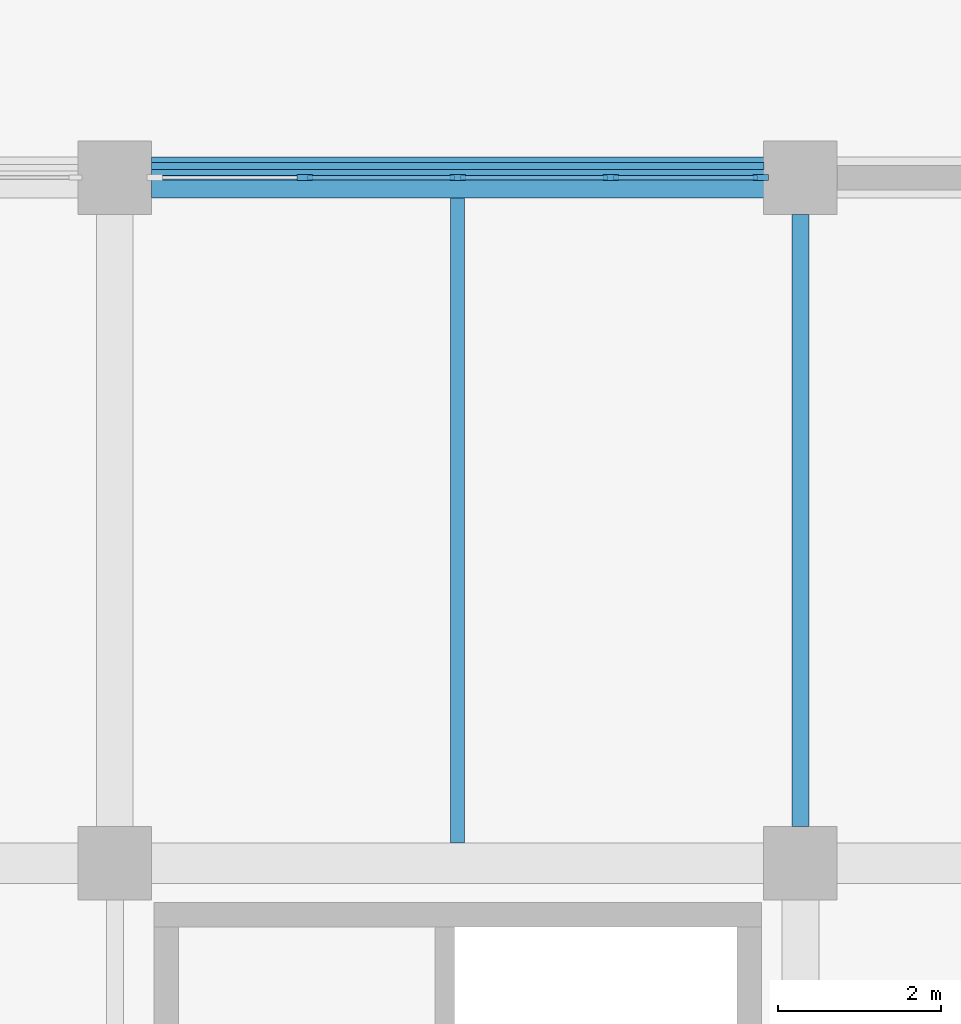
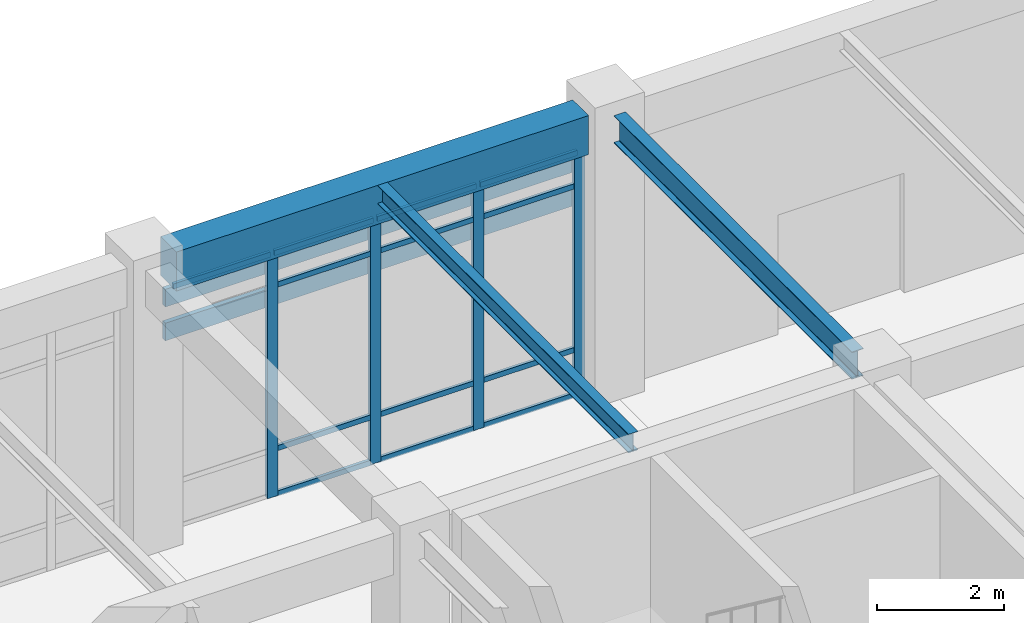
# One storey, part 24 of 91: 19 members, 3 beams, 1 element without a shape of its own.
"""IFC4 building model written with IfcOpenShell, lengths in metres."""

from ifc_helpers import new_model, si_unit, direction, frame, origin, origin_2d, place, context, subcontext, project, spatial, rectangle, i_section, extrude, material, layer, layer_set, material_profile, profile_set, type_object, element, aggregate, save


model = new_model("IFC4")

# Units and contexts
model_context = context("Model", 3, precision=1e-05, world=origin(), true_north=direction((0.0, 1.0)))
body_context = subcontext(model_context, "Body", "Model", "MODEL_VIEW")
ifc_project = project(units=[si_unit("LENGTHUNIT", "METRE"), si_unit("AREAUNIT", "SQUARE_METRE"), si_unit("VOLUMEUNIT", "CUBIC_METRE"), si_unit("PLANEANGLEUNIT", "RADIAN"), si_unit("MASSUNIT", "GRAM", prefix="KILO")], contexts=[model_context])

# Site, building, storey
site_placement = place(None, origin())
site = spatial("IfcSite", under=ifc_project, at=site_placement, CompositionType="ELEMENT")
building_placement = place(site_placement, origin())
building = spatial("IfcBuilding", under=site, at=building_placement, Name="Porcellanite Civic Hall", CompositionType="ELEMENT")
storey_placement = place(building_placement, origin())
storey = spatial("IfcBuildingStorey", under=building, at=storey_placement, Name="L00", CompositionType="ELEMENT", Elevation=0.0)

# Beam
ifc_material_1 = material(Name="Concrete N50 (50 MPa)", Category="concrete")
ifc_material_profile_1 = material_profile(ifc_material_1, rectangle(XDim=0.5, YDim=0.75, at=origin_2d()), Name="RC-500x750")
ifc_profile_set_1 = profile_set([ifc_material_profile_1], Name="Concrete N50 (50 MPa)")
beam_type_1 = type_object("IfcBeamType", Name="BM-RC750", PredefinedType="SPANDREL", material=ifc_profile_set_1)
beam_1_placement = place(storey_placement, frame((50.849609375, 117.60009765625, 5.125), z_axis=(1.0, 0.0, 0.0), x_axis=(0.0, 1.0, 0.0)))
element("IfcBeam", 1, at=beam_1_placement, inside=storey, type_object=beam_type_1, Name="Beam X L00 7-15", PredefinedType="SPANDREL", context=body_context, shape_type="SweptSolid", body=[
    extrude(rectangle(XDim=0.5, YDim=0.75, at=origin_2d()), origin(), (0.0, 0.0, 1.0), 7.5009765625),
])

# Curtain wall, members
ifc_material_2 = material(Name="Anodised aluminium and solar laminated glass", Category="aluminium")
ifc_layer = layer(ifc_material_2, 0.179931640625)
ifc_layer_set = layer_set([ifc_layer], Name="Anodised aluminium and solar laminated glass")
curtain_wall_type = type_object("IfcCurtainWallType", Name="CW-SYS04", PredefinedType="NOTDEFINED", material=ifc_layer_set)
curtain_wall_placement = place(storey_placement, origin())
curtain_wall = element("IfcCurtainWall", 2, at=curtain_wall_placement, inside=storey, type_object=curtain_wall_type, Name="Curtain wall CW-025", PredefinedType="NOTDEFINED")
ifc_material_3 = material(Name="Anodised aluminium 6063-T6", Category="aluminium")
ifc_material_profile_2 = material_profile(ifc_material_3, rectangle(XDim=0.074951171875, YDim=0.18994140625, at=origin_2d()), Name="AL-75x190")
ifc_profile_set_2 = profile_set([ifc_material_profile_2], Name="Anodised aluminium 6063-T6")
member_type_1 = type_object("IfcMemberType", Name="CWM-04", PredefinedType="MULLION", material=ifc_profile_set_2)
member_1_placement = place(storey_placement, frame((52.7255859375, 117.60009765625, 0.0), z_axis=(0.0, 0.0, 1.0), x_axis=(0.0, 1.0, 0.0)))
member_1 = element("IfcMember", 3, at=member_1_placement, type_object=member_type_1, Name="CW-025 mullion 2", PredefinedType="MULLION", context=body_context, shape_type="SweptSolid", body=[
    extrude(rectangle(XDim=0.074951171875, YDim=0.18994140625, at=origin_2d()), origin(), (0.0, 0.0, 1.0), 4.699951171875),
])
member_2_placement = place(storey_placement, frame((54.60009765625, 117.60009765625, 0.0), z_axis=(0.0, 0.0, 1.0), x_axis=(0.0, 1.0, 0.0)))
member_2 = element("IfcMember", 4, at=member_2_placement, type_object=member_type_1, Name="CW-025 mullion 3", PredefinedType="MULLION", context=body_context, shape_type="SweptSolid", body=[
    extrude(rectangle(XDim=0.074951171875, YDim=0.18994140625, at=origin_2d()), origin(), (0.0, 0.0, 1.0), 4.699951171875),
])
member_3_placement = place(storey_placement, frame((56.474609375, 117.60009765625, 0.0), z_axis=(0.0, 0.0, 1.0), x_axis=(0.0, 1.0, 0.0)))
member_3 = element("IfcMember", 5, at=member_3_placement, type_object=member_type_1, Name="CW-025 mullion 4", PredefinedType="MULLION", context=body_context, shape_type="SweptSolid", body=[
    extrude(rectangle(XDim=0.074951171875, YDim=0.18994140625, at=origin_2d()), origin(), (0.0, 0.0, 1.0), 4.699951171875),
])
member_4_placement = place(storey_placement, frame((58.3115234375, 117.60009765625, 0.0), z_axis=(0.0, 0.0, 1.0), x_axis=(0.0, 1.0, 0.0)))
member_4 = element("IfcMember", 6, at=member_4_placement, type_object=member_type_1, Name="CW-025 mullion 5", PredefinedType="MULLION", context=body_context, shape_type="SweptSolid", body=[
    extrude(rectangle(XDim=0.074951171875, YDim=0.18994140625, at=origin_2d()), origin(), (0.0, 0.0, 1.0), 4.699951171875),
])
ifc_material_4 = material(Name="Anodised aluminium 6063-T6", Category="aluminium")
ifc_material_profile_3 = material_profile(ifc_material_4, rectangle(XDim=0.054931640625, YDim=0.10009765625, at=origin_2d()), Name="AL-55x100")
ifc_profile_set_3 = profile_set([ifc_material_profile_3], Name="Anodised aluminium 6063-T6")
member_type_2 = type_object("IfcMemberType", Name="CWT-05", PredefinedType="USERDEFINED", material=ifc_profile_set_3)
member_5_placement = place(storey_placement, frame((50.926025390625, 117.60009765625, 4.672607421875), z_axis=(1.0, 0.0, 0.0), x_axis=(0.0, 1.0, 0.0)))
member_5 = element("IfcMember", 7, at=member_5_placement, type_object=member_type_2, Name="CW-025 transom 1.4", ObjectType="TRANSOM", PredefinedType="USERDEFINED", context=body_context, shape_type="SweptSolid", body=[
    extrude(rectangle(XDim=0.054931640625, YDim=0.10009765625, at=origin_2d()), origin(), (0.0, 0.0, 1.0), 1.761962890625),
])
member_6_placement = place(storey_placement, frame((52.762939453125, 117.60009765625, 0.027587890625), z_axis=(1.0, 0.0, 0.0), x_axis=(0.0, 1.0, 0.0)))
member_6 = element("IfcMember", 8, at=member_6_placement, type_object=member_type_2, Name="CW-025 transom 2.1", ObjectType="TRANSOM", PredefinedType="USERDEFINED", context=body_context, shape_type="SweptSolid", body=[
    extrude(rectangle(XDim=0.054931640625, YDim=0.10009765625, at=origin_2d()), origin(), (0.0, 0.0, 1.0), 1.799560546875),
])
member_7_placement = place(storey_placement, frame((52.762939453125, 117.60009765625, 0.89990234375), z_axis=(1.0, 0.0, 0.0), x_axis=(0.0, 1.0, 0.0)))
member_7 = element("IfcMember", 9, at=member_7_placement, type_object=member_type_2, Name="CW-025 transom 2.2", ObjectType="TRANSOM", PredefinedType="USERDEFINED", context=body_context, shape_type="SweptSolid", body=[
    extrude(rectangle(XDim=0.054931640625, YDim=0.10009765625, at=origin_2d()), origin(), (0.0, 0.0, 1.0), 1.799560546875),
])
member_8_placement = place(storey_placement, frame((52.762939453125, 117.60009765625, 4.050048828125), z_axis=(1.0, 0.0, 0.0), x_axis=(0.0, 1.0, 0.0)))
member_8 = element("IfcMember", 10, at=member_8_placement, type_object=member_type_2, Name="CW-025 transom 2.3", ObjectType="TRANSOM", PredefinedType="USERDEFINED", context=body_context, shape_type="SweptSolid", body=[
    extrude(rectangle(XDim=0.054931640625, YDim=0.10009765625, at=origin_2d()), origin(), (0.0, 0.0, 1.0), 1.799560546875),
])
member_9_placement = place(storey_placement, frame((52.762939453125, 117.60009765625, 4.672607421875), z_axis=(1.0, 0.0, 0.0), x_axis=(0.0, 1.0, 0.0)))
member_9 = element("IfcMember", 11, at=member_9_placement, type_object=member_type_2, Name="CW-025 transom 2.4", ObjectType="TRANSOM", PredefinedType="USERDEFINED", context=body_context, shape_type="SweptSolid", body=[
    extrude(rectangle(XDim=0.054931640625, YDim=0.10009765625, at=origin_2d()), origin(), (0.0, 0.0, 1.0), 1.799560546875),
])
member_10_placement = place(storey_placement, frame((54.637451171875, 117.60009765625, 0.027587890625), z_axis=(1.0, 0.0, 0.0), x_axis=(0.0, 1.0, 0.0)))
member_10 = element("IfcMember", 12, at=member_10_placement, type_object=member_type_2, Name="CW-025 transom 3.1", ObjectType="TRANSOM", PredefinedType="USERDEFINED", context=body_context, shape_type="SweptSolid", body=[
    extrude(rectangle(XDim=0.054931640625, YDim=0.10009765625, at=origin_2d()), origin(), (0.0, 0.0, 1.0), 1.799560546875),
])
member_11_placement = place(storey_placement, frame((54.637451171875, 117.60009765625, 0.89990234375), z_axis=(1.0, 0.0, 0.0), x_axis=(0.0, 1.0, 0.0)))
member_11 = element("IfcMember", 13, at=member_11_placement, type_object=member_type_2, Name="CW-025 transom 3.2", ObjectType="TRANSOM", PredefinedType="USERDEFINED", context=body_context, shape_type="SweptSolid", body=[
    extrude(rectangle(XDim=0.054931640625, YDim=0.10009765625, at=origin_2d()), origin(), (0.0, 0.0, 1.0), 1.799560546875),
])
member_12_placement = place(storey_placement, frame((54.637451171875, 117.60009765625, 4.050048828125), z_axis=(1.0, 0.0, 0.0), x_axis=(0.0, 1.0, 0.0)))
member_12 = element("IfcMember", 14, at=member_12_placement, type_object=member_type_2, Name="CW-025 transom 3.3", ObjectType="TRANSOM", PredefinedType="USERDEFINED", context=body_context, shape_type="SweptSolid", body=[
    extrude(rectangle(XDim=0.054931640625, YDim=0.10009765625, at=origin_2d()), origin(), (0.0, 0.0, 1.0), 1.799560546875),
])
member_13_placement = place(storey_placement, frame((54.637451171875, 117.60009765625, 4.672607421875), z_axis=(1.0, 0.0, 0.0), x_axis=(0.0, 1.0, 0.0)))
member_13 = element("IfcMember", 15, at=member_13_placement, type_object=member_type_2, Name="CW-025 transom 3.4", ObjectType="TRANSOM", PredefinedType="USERDEFINED", context=body_context, shape_type="SweptSolid", body=[
    extrude(rectangle(XDim=0.054931640625, YDim=0.10009765625, at=origin_2d()), origin(), (0.0, 0.0, 1.0), 1.799560546875),
])
member_14_placement = place(storey_placement, frame((56.511962890625, 117.60009765625, 0.027587890625), z_axis=(1.0, 0.0, 0.0), x_axis=(0.0, 1.0, 0.0)))
member_14 = element("IfcMember", 16, at=member_14_placement, type_object=member_type_2, Name="CW-025 transom 4.1", ObjectType="TRANSOM", PredefinedType="USERDEFINED", context=body_context, shape_type="SweptSolid", body=[
    extrude(rectangle(XDim=0.054931640625, YDim=0.10009765625, at=origin_2d()), origin(), (0.0, 0.0, 1.0), 1.761962890625),
])
member_15_placement = place(storey_placement, frame((56.511962890625, 117.60009765625, 0.89990234375), z_axis=(1.0, 0.0, 0.0), x_axis=(0.0, 1.0, 0.0)))
member_15 = element("IfcMember", 17, at=member_15_placement, type_object=member_type_2, Name="CW-025 transom 4.2", ObjectType="TRANSOM", PredefinedType="USERDEFINED", context=body_context, shape_type="SweptSolid", body=[
    extrude(rectangle(XDim=0.054931640625, YDim=0.10009765625, at=origin_2d()), origin(), (0.0, 0.0, 1.0), 1.761962890625),
])
member_16_placement = place(storey_placement, frame((56.511962890625, 117.60009765625, 4.050048828125), z_axis=(1.0, 0.0, 0.0), x_axis=(0.0, 1.0, 0.0)))
member_16 = element("IfcMember", 18, at=member_16_placement, type_object=member_type_2, Name="CW-025 transom 4.3", ObjectType="TRANSOM", PredefinedType="USERDEFINED", context=body_context, shape_type="SweptSolid", body=[
    extrude(rectangle(XDim=0.054931640625, YDim=0.10009765625, at=origin_2d()), origin(), (0.0, 0.0, 1.0), 1.761962890625),
])
member_17_placement = place(storey_placement, frame((56.511962890625, 117.60009765625, 4.672607421875), z_axis=(1.0, 0.0, 0.0), x_axis=(0.0, 1.0, 0.0)))
member_17 = element("IfcMember", 19, at=member_17_placement, type_object=member_type_2, Name="CW-025 transom 4.4", ObjectType="TRANSOM", PredefinedType="USERDEFINED", context=body_context, shape_type="SweptSolid", body=[
    extrude(rectangle(XDim=0.054931640625, YDim=0.10009765625, at=origin_2d()), origin(), (0.0, 0.0, 1.0), 1.761962890625),
])
aggregate(curtain_wall, [member_1, member_2, member_3, member_4, member_5, member_6, member_7, member_8, member_9, member_10, member_11, member_12, member_13, member_14, member_15, member_16, member_17])

# Beam
ifc_material_5 = material(Name="Steel Grade 350", Category="steel")
ifc_material_profile_4 = material_profile(ifc_material_5, i_section(OverallWidth=0.172119140625, OverallDepth=0.35888671875, WebThickness=0.008056640625, FlangeThickness=0.012939453125, FilletRadius=0.011474609375, at=origin_2d()), Name="360UB56.7")
ifc_profile_set_4 = profile_set([ifc_material_profile_4], Name="Steel Grade 350")
beam_type_2 = type_object("IfcBeamType", Name="JST-360UB57", PredefinedType="JOIST", material=ifc_profile_set_4)
beam_2_placement = place(storey_placement, frame((54.60009765625, 109.449462890625, 5.320556640625), z_axis=(0.0, 1.0, 0.0), x_axis=(-1.0, 0.0, 0.0)))
element("IfcBeam", 20, at=beam_2_placement, inside=storey, type_object=beam_type_2, Name="Secondary joist L00 7-14", PredefinedType="JOIST", context=body_context, shape_type="SweptSolid", body=[
    extrude(i_section(OverallWidth=0.172119140625, OverallDepth=0.35888671875, WebThickness=0.008056640625, FlangeThickness=0.012939453125, FilletRadius=0.011474609375, at=origin_2d()), origin(), (0.0, 0.0, 1.0), 7.901123046875),
])

# Members
ifc_material_6 = material(Name="Fluoropolymer bauxite-red aluminium 6063-T6", Category="aluminium")
ifc_material_profile_5 = material_profile(ifc_material_6, rectangle(XDim=0.0849609375, YDim=0.340087890625, at=origin_2d()), Name="AL-85x340")
ifc_profile_set_5 = profile_set([ifc_material_profile_5], Name="Fluoropolymer bauxite-red aluminium 6063-T6")
member_type_3 = type_object("IfcMemberType", Name="LV-BLD02", PredefinedType="USERDEFINED", material=ifc_profile_set_5)
for number, where, z_axis, x_axis, name in (
    (21, (50.849609375, 117.739501953125, 4.39990234375), (1.0, 0.0, 0.0), (0.0, 1.0, 0.0), "Cyclone sunshade louvre L00 N 6-13 1"),
    (22, (50.849609375, 117.739501953125, 3.75), (1.0, 0.0, 0.0), (0.0, 1.0, 0.0), "Cyclone sunshade louvre L00 N 6-13 2"),
):
    element("IfcMember", number, at=place(storey_placement, frame(where, z_axis=z_axis, x_axis=x_axis)), inside=storey, type_object=member_type_3, Name=name, ObjectType="LOUVRE BLADE", PredefinedType="USERDEFINED", context=body_context, shape_type="SweptSolid", body=[
        extrude(rectangle(XDim=0.0849609375, YDim=0.340087890625, at=origin_2d()), origin(), (0.0, 0.0, 1.0), 7.5009765625),
    ])

# Beam
ifc_material_7 = material(Name="Steel Grade 350", Category="steel")
ifc_material_profile_6 = material_profile(ifc_material_7, i_section(OverallWidth=0.208984375, OverallDepth=0.528076171875, WebThickness=0.009521484375, FlangeThickness=0.01318359375, FilletRadius=0.013916015625, at=origin_2d()), Name="530UB82.0")
ifc_profile_set_6 = profile_set([ifc_material_profile_6], Name="Steel Grade 350")
beam_type_3 = type_object("IfcBeamType", Name="RAF-530UB82", PredefinedType="BEAM", material=ifc_profile_set_6)
beam_3_placement = place(storey_placement, frame((58.800048828125, 109.6494140625, 5.236083984375), z_axis=(0.0, 1.0, 0.0), x_axis=(-1.0, 0.0, 0.0)))
element("IfcBeam", 23, at=beam_3_placement, inside=storey, type_object=beam_type_3, Name="Beam Y L00 8-14", PredefinedType="BEAM", context=body_context, shape_type="SweptSolid", body=[
    extrude(i_section(OverallWidth=0.208984375, OverallDepth=0.528076171875, WebThickness=0.009521484375, FlangeThickness=0.01318359375, FilletRadius=0.013916015625, at=origin_2d()), origin(), (0.0, 0.0, 1.0), 7.5009765625),
])

save(model, "model.ifc")
